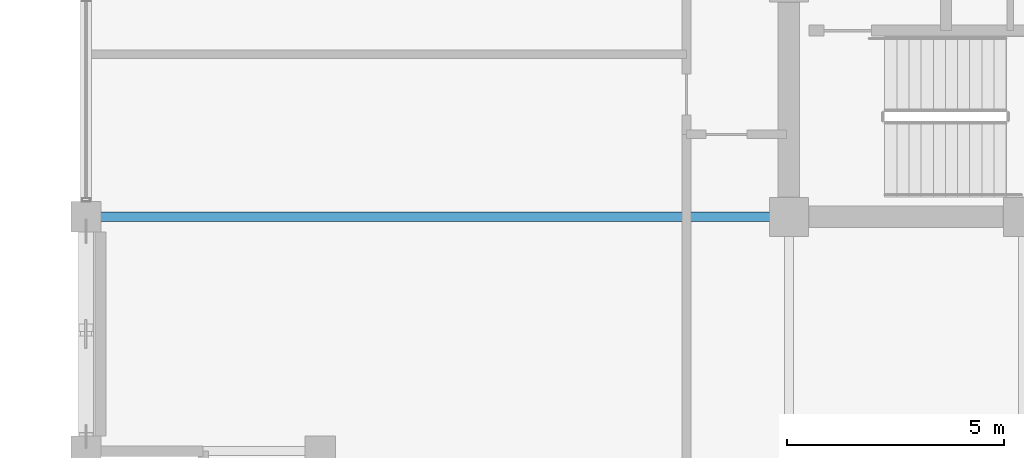
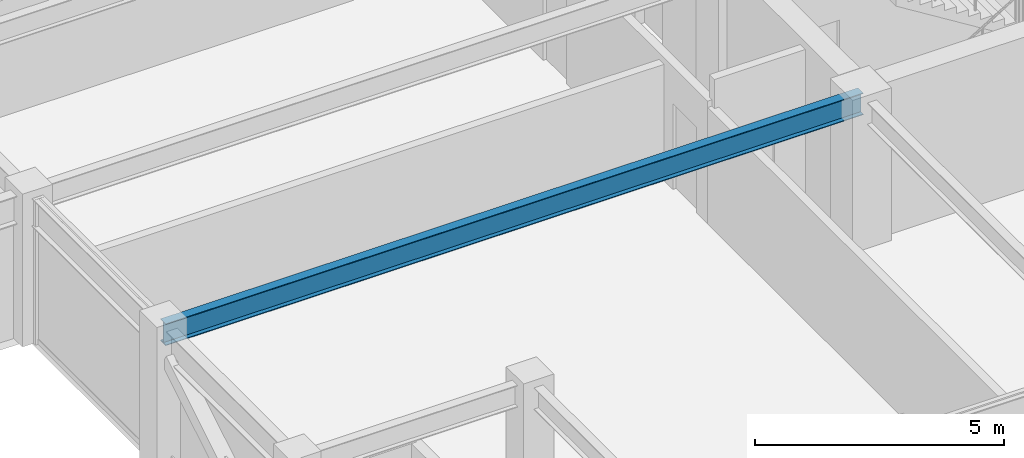
# One storey, part 5 of 30: 1 beam.
"""IFC4 building model written with IfcOpenShell, lengths in metres."""

from ifc_helpers import new_model, si_unit, direction, frame, origin, origin_2d, place, context, subcontext, project, spatial, i_section, extrude, material, material_profile, profile_set, type_object, element, save


model = new_model("IFC4")

# Units and contexts
model_context = context("Model", 3, precision=1e-05, world=origin(), true_north=direction((0.0, 1.0)))
body_context = subcontext(model_context, "Body", "Model", "MODEL_VIEW")
ifc_project = project(units=[si_unit("LENGTHUNIT", "METRE"), si_unit("AREAUNIT", "SQUARE_METRE"), si_unit("VOLUMEUNIT", "CUBIC_METRE"), si_unit("PLANEANGLEUNIT", "RADIAN"), si_unit("MASSUNIT", "GRAM", prefix="KILO")], contexts=[model_context])

# Site, building, storey
site_placement = place(None, origin())
site = spatial("IfcSite", under=ifc_project, at=site_placement, CompositionType="ELEMENT")
building_placement = place(site_placement, origin())
building = spatial("IfcBuilding", under=site, at=building_placement, Name="Surkhivell Harbour Commons", CompositionType="ELEMENT")
storey_placement = place(building_placement, frame((0.0, 0.0, 307.5)))
storey = spatial("IfcBuildingStorey", under=building, at=storey_placement, Name="L80", CompositionType="ELEMENT", Elevation=307.5)

# Beam
ifc_material = material(Name="Steel S355", Category="steel")
ifc_material_profile = material_profile(ifc_material, i_section(OverallWidth=0.2099609375, OverallDepth=0.537109375, WebThickness=0.0107421875, FlangeThickness=0.017333984375, at=origin_2d()), Name="UB533x210x101")
ifc_profile_set = profile_set([ifc_material_profile], Name="Steel S355")
beam_type = type_object("IfcBeamType", Name="BM-GRD-533B", PredefinedType="BEAM", material=ifc_profile_set)
beam_placement = place(storey_placement, frame((-27.0, -10.800048828125, 3.301513671875), z_axis=(1.0, 0.0, 0.0), x_axis=(0.0, 1.0, 0.0)))
element("IfcBeam", 1, at=beam_placement, inside=storey, type_object=beam_type, Name="L80 Floor Girder (-27.0,-10.8)", PredefinedType="BEAM", context=body_context, shape_type="SweptSolid", body=[
    extrude(i_section(OverallWidth=0.2099609375, OverallDepth=0.537109375, WebThickness=0.0107421875, FlangeThickness=0.017333984375, at=origin_2d()), origin(), (0.0, 0.0, 1.0), 16.199951171875),
])

save(model, "model.ifc")
